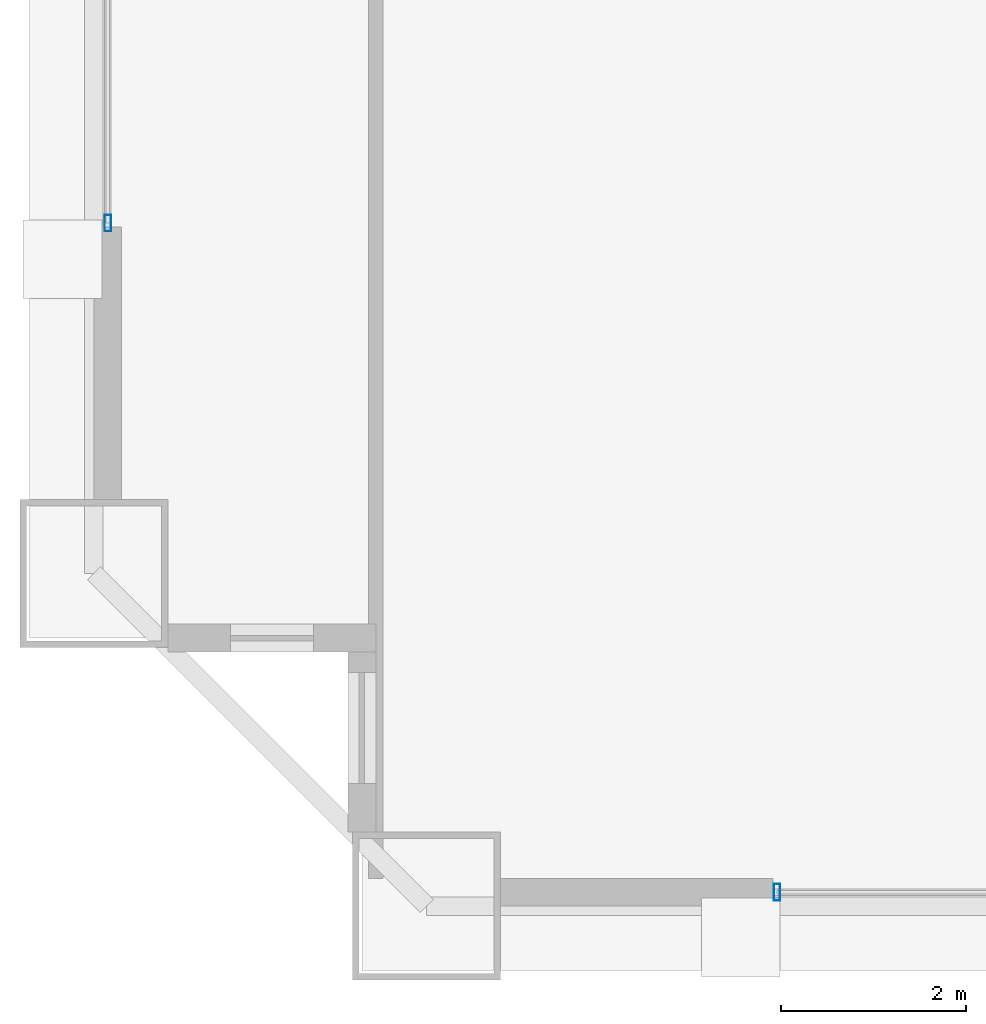
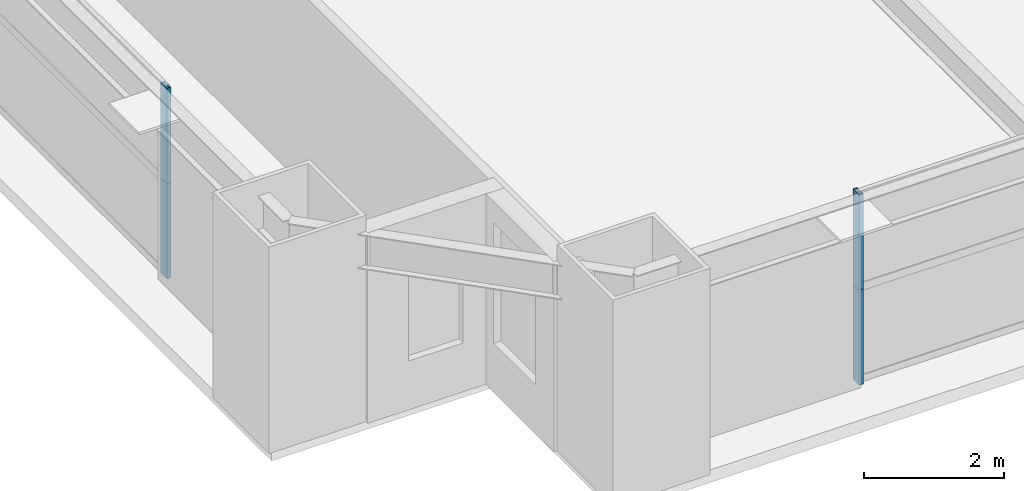
# One storey, part 3 of 38: 4 members, 2 elements without a shape of their own.
"""IFC4 building model written with IfcOpenShell, lengths in metres."""

from ifc_helpers import new_model, si_unit, direction, frame, origin, origin_2d, place, context, subcontext, project, spatial, hollow_rectangle, extrude, source, transform, mapped, material, layer, layer_set, material_profile, profile_set, type_object, element, aggregate, save


model = new_model("IFC4")

# Units and contexts
model_context = context("Model", 3, precision=1e-05, world=origin(), true_north=direction((0.0, 1.0)))
body_context = subcontext(model_context, "Body", "Model", "MODEL_VIEW")
ifc_project = project(units=[si_unit("LENGTHUNIT", "METRE"), si_unit("AREAUNIT", "SQUARE_METRE"), si_unit("VOLUMEUNIT", "CUBIC_METRE"), si_unit("PLANEANGLEUNIT", "RADIAN"), si_unit("MASSUNIT", "GRAM", prefix="KILO"), si_unit("THERMODYNAMICTEMPERATUREUNIT", "KELVIN"), si_unit("POWERUNIT", "WATT")], contexts=[model_context])

# Site, building, storey
site_placement = place(None, origin())
site = spatial("IfcSite", under=ifc_project, at=site_placement, CompositionType="ELEMENT")
building_placement = place(site_placement, origin())
building = spatial("IfcBuilding", under=site, at=building_placement, Name="Yuzanri Waterfront Tower", CompositionType="ELEMENT")
storey_placement = place(building_placement, frame((0.0, 0.0, 126.199951171875)))
storey = spatial("IfcBuildingStorey", under=building, at=storey_placement, Name="L33", CompositionType="ELEMENT", Elevation=126.199951171875)

# Curtain wall, members
ifc_material_1 = material(Name="Anodized Architectural Bronze", Category="metal")
ifc_layer = layer(ifc_material_1, 0.159912109375)
ifc_layer_set = layer_set([ifc_layer], Name="Anodized Architectural Bronze")
curtain_wall_type = type_object("IfcCurtainWallType", Name="Anodized Bronze Hotel Upper-Tier Solar-Control Unitized Curtain Wall 7800", PredefinedType="NOTDEFINED", material=ifc_layer_set)
curtain_wall_1_placement = place(storey_placement, origin())
curtain_wall_1 = element("IfcCurtainWall", 1, at=curtain_wall_1_placement, inside=storey, type_object=curtain_wall_type, Name="L33 Curtain Wall CW-L33-SL", PredefinedType="NOTDEFINED")
ifc_material_2 = material(Name="Anodized Architectural Bronze", Category="metal")
ifc_material_profile = material_profile(ifc_material_2, hollow_rectangle(XDim=0.070068359375, YDim=0.179931640625, WallThickness=0.00390625, at=origin_2d()), Name="CWM 70x180")
ifc_profile_set = profile_set([ifc_material_profile], Name="Anodized Architectural Bronze")
member_type = type_object("IfcMemberType", Name="Anodized Bronze Standard Curtain-Wall Mullion 70x180", PredefinedType="MULLION", material=ifc_profile_set)
shared_shape = source(origin(), body_context, "Body", "SweptSolid", [
    extrude(hollow_rectangle(XDim=0.070068359375, YDim=0.179931640625, WallThickness=0.00390625, at=origin_2d()), origin(), (0.0, 0.0, 1.0), 1.657958984375),
])
member_1_placement = place(storey_placement, frame((20.7900390625, 2.35009765625, 0.0), z_axis=(0.0, 0.0, 1.0), x_axis=(1.0, 0.0, 0.0)))
member_1 = element("IfcMember", 2, at=member_1_placement, type_object=member_type, Name="CW-L33-SL Lower Mullion 00", PredefinedType="MULLION", context=body_context, shape_type="MappedRepresentation", body=[
    mapped(shared_shape, transform((0.0, 0.0, 0.0), scale=1.0)),
])
member_2_placement = place(storey_placement, frame((20.7900390625, 2.35009765625, 1.662109375), z_axis=(0.0, 0.0, 1.0), x_axis=(1.0, 0.0, 0.0)))
member_2 = element("IfcMember", 3, at=member_2_placement, type_object=member_type, Name="CW-L33-SL Upper Mullion 00", PredefinedType="MULLION", context=body_context, shape_type="MappedRepresentation", body=[
    mapped(shared_shape, transform((0.0, 0.0, 0.0), scale=1.0)),
])
aggregate(curtain_wall_1, [member_1, member_2])

curtain_wall_2_placement = place(storey_placement, origin())
curtain_wall_2 = element("IfcCurtainWall", 4, at=curtain_wall_2_placement, inside=storey, type_object=curtain_wall_type, Name="L33 Curtain Wall CW-L33-WL", PredefinedType="NOTDEFINED")
member_3_placement = place(storey_placement, frame((13.550048828125, 9.590087890625, 0.0), z_axis=(0.0, 0.0, 1.0), x_axis=(1.0, 0.0, 0.0)))
member_3 = element("IfcMember", 5, at=member_3_placement, type_object=member_type, Name="CW-L33-WL Lower Mullion 00", PredefinedType="MULLION", context=body_context, shape_type="MappedRepresentation", body=[
    mapped(shared_shape, transform((0.0, 0.0, 0.0), scale=1.0)),
])
member_4_placement = place(storey_placement, frame((13.550048828125, 9.590087890625, 1.662109375), z_axis=(0.0, 0.0, 1.0), x_axis=(1.0, 0.0, 0.0)))
member_4 = element("IfcMember", 6, at=member_4_placement, type_object=member_type, Name="CW-L33-WL Upper Mullion 00", PredefinedType="MULLION", context=body_context, shape_type="MappedRepresentation", body=[
    mapped(shared_shape, transform((0.0, 0.0, 0.0), scale=1.0)),
])
aggregate(curtain_wall_2, [member_3, member_4])

save(model, "model.ifc")
